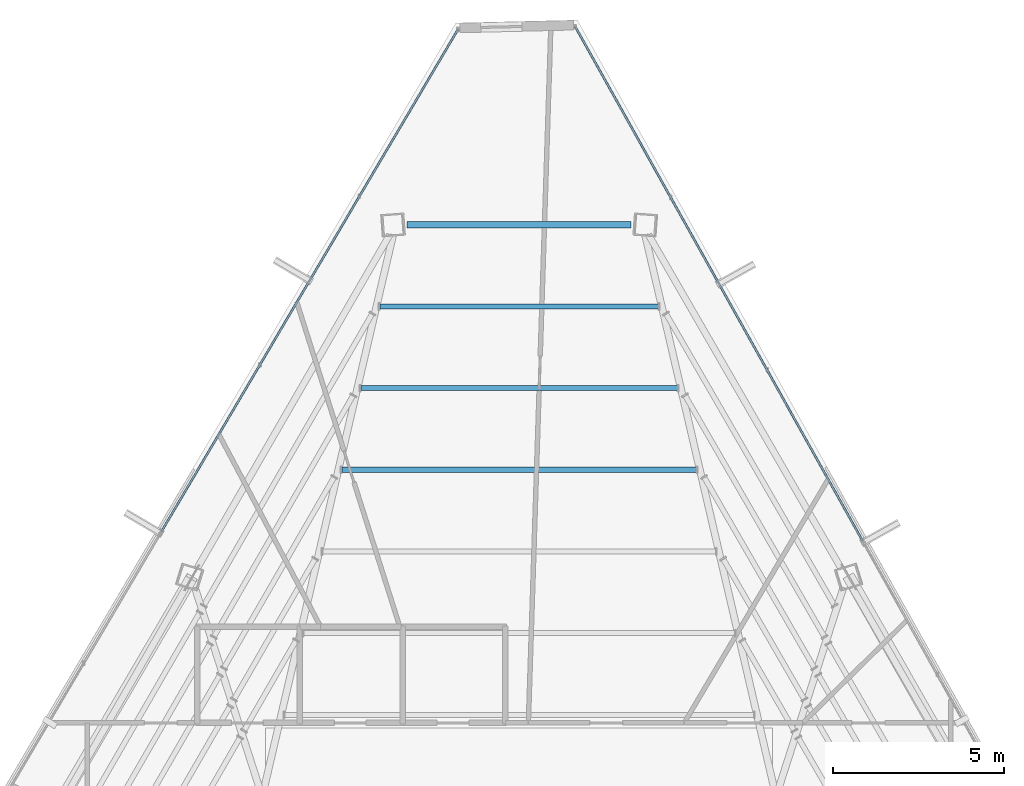
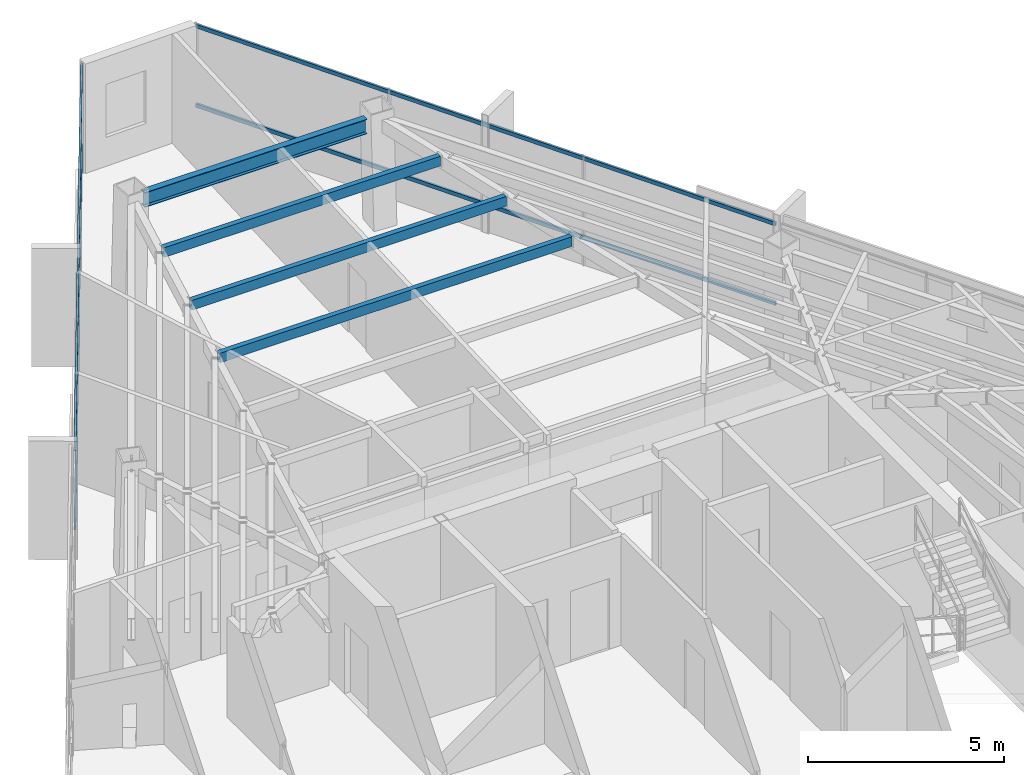
# One storey, part 32 of 45: 4 beams, 4 members, 2 elements without a shape of their own.
"""IFC4 building model written with IfcOpenShell, lengths in metres."""

from ifc_helpers import new_model, si_unit, direction, frame, origin, origin_2d, place, context, subcontext, project, spatial, hollow_rectangle, i_section, extrude, source, transform, mapped, material, material_profile, profile_set, type_object, type_shapes, element, aggregate, save


model = new_model("IFC4")

# Units and contexts
model_context = context("Model", 3, precision=1e-05, world=origin(), true_north=direction((0.0, 1.0)))
body_context = subcontext(model_context, "Body", "Model", "MODEL_VIEW")
ifc_project = project(units=[si_unit("LENGTHUNIT", "METRE"), si_unit("AREAUNIT", "SQUARE_METRE"), si_unit("VOLUMEUNIT", "CUBIC_METRE"), si_unit("PLANEANGLEUNIT", "RADIAN"), si_unit("MASSUNIT", "GRAM", prefix="KILO")], contexts=[model_context])

# Site, building, storey
site_placement = place(None, origin())
site = spatial("IfcSite", under=ifc_project, at=site_placement, CompositionType="ELEMENT")
building_placement = place(site_placement, origin())
building = spatial("IfcBuilding", under=site, at=building_placement, Name="Caelisora Broadcast Tower", CompositionType="ELEMENT")
storey_placement = place(building_placement, frame((0.0, 0.0, 262.699951171875)))
storey = spatial("IfcBuildingStorey", under=building, at=storey_placement, Name="L69", CompositionType="ELEMENT", Elevation=262.699951171875)

# Beams
ifc_material_1 = material(Name="Steel Grade 350 (AS/NZS 3679.1)", Category="steel")
ifc_material_profile_1 = material_profile(ifc_material_1, i_section(OverallWidth=0.19091796875, OverallDepth=0.46044921875, WebThickness=0.010009765625, FlangeThickness=0.01611328125, at=origin_2d()), Name="Steel Grade 350 (AS/NZS 3679.1)")
ifc_profile_set_1 = profile_set([ifc_material_profile_1], Name="Steel Grade 350 (AS/NZS 3679.1)")
beam_type_1 = type_object("IfcBeamType", Name="PG06", PredefinedType="BEAM", material=ifc_profile_set_1)
shared_shape_1 = source(origin(), body_context, "Body", "SweptSolid", [
    extrude(i_section(OverallWidth=0.19091796875, OverallDepth=0.46044921875, WebThickness=0.010009765625, FlangeThickness=0.01611328125, at=origin_2d()), origin(), (0.0, 0.0, 1.0), 6.54052734375),
])
type_shapes(beam_type_1, [shared_shape_1])
beam_1_placement = place(storey_placement, frame((41.270263671875, 46.692138671875, 3.169921875), z_axis=(-1.0, 0.0, 0.0), x_axis=(0.0, -1.0, 0.0)))
element("IfcBeam", 1, at=beam_1_placement, inside=storey, type_object=beam_type_1, Name="L69 beam PG06", PredefinedType="BEAM", context=body_context, shape_type="MappedRepresentation", body=[
    mapped(shared_shape_1, transform((0.0, 0.0, 0.0), scale=1.0)),
])
ifc_material_2 = material(Name="Steel Grade 350 (AS/NZS 1163 C350L0)", Category="steel")
ifc_material_profile_2 = material_profile(ifc_material_2, hollow_rectangle(XDim=0.14990234375, YDim=0.300048828125, WallThickness=0.010009765625, at=origin_2d()), Name="Steel Grade 350 (AS/NZS 1163 C350L0)")
ifc_profile_set_2 = profile_set([ifc_material_profile_2], Name="Steel Grade 350 (AS/NZS 1163 C350L0)")
beam_type_2 = type_object("IfcBeamType", Name="SB05", PredefinedType="JOIST", material=ifc_profile_set_2)
shared_shape_2 = source(origin(), body_context, "Body", "SweptSolid", [
    extrude(hollow_rectangle(XDim=0.14990234375, YDim=0.300048828125, WallThickness=0.010009765625, at=origin_2d()), origin(), (0.0, 0.0, 1.0), 10.35302734375),
])
beam_2_placement = place(storey_placement, frame((43.176513671875, 39.538330078125, 3.25), z_axis=(-1.0, 0.0, 0.0), x_axis=(0.0, -1.0, 0.0)))
element("IfcBeam", 2, at=beam_2_placement, inside=storey, type_object=beam_type_2, Name="L69 beam SB05", PredefinedType="JOIST", context=body_context, shape_type="MappedRepresentation", body=[
    mapped(shared_shape_2, transform((0.0, 0.0, 0.0), scale=1.0)),
])
shared_shape_3 = source(origin(), body_context, "Body", "SweptSolid", [
    extrude(hollow_rectangle(XDim=0.14990234375, YDim=0.300048828125, WallThickness=0.010009765625, at=origin_2d()), origin(), (0.0, 0.0, 1.0), 9.2412109375),
])
beam_3_placement = place(storey_placement, frame((42.62060546875, 41.923095703125, 3.25), z_axis=(-1.0, 0.0, 0.0), x_axis=(0.0, -1.0, 0.0)))
element("IfcBeam", 3, at=beam_3_placement, inside=storey, type_object=beam_type_2, Name="L69 beam SB05", PredefinedType="JOIST", context=body_context, shape_type="MappedRepresentation", body=[
    mapped(shared_shape_3, transform((0.0, 0.0, 0.0), scale=1.0)),
])
shared_shape_4 = source(origin(), body_context, "Body", "SweptSolid", [
    extrude(hollow_rectangle(XDim=0.14990234375, YDim=0.300048828125, WallThickness=0.010009765625, at=origin_2d()), origin(), (0.0, 0.0, 1.0), 8.12939453125),
])
type_shapes(beam_type_2, [shared_shape_2, shared_shape_3, shared_shape_4])
beam_4_placement = place(storey_placement, frame((42.064697265625, 44.3076171875, 3.25), z_axis=(-1.0, 0.0, 0.0), x_axis=(0.0, -1.0, 0.0)))
element("IfcBeam", 4, at=beam_4_placement, inside=storey, type_object=beam_type_2, Name="L69 beam SB05", PredefinedType="JOIST", context=body_context, shape_type="MappedRepresentation", body=[
    mapped(shared_shape_4, transform((0.0, 0.0, 0.0), scale=1.0)),
])

# Curtain wall, members
ifc_material_3 = material(Name="Unitised Aluminium and Low-E Glass Curtain Wall", Category="glass")
curtain_wall_type = type_object("IfcCurtainWallType", Name="CW-Z5", PredefinedType="NOTDEFINED", material=ifc_material_3)
curtain_wall_1_placement = place(storey_placement, origin())
curtain_wall_1 = element("IfcCurtainWall", 5, at=curtain_wall_1_placement, inside=storey, type_object=curtain_wall_type, Name="L69 curtain wall CW-Z5", PredefinedType="NOTDEFINED")
ifc_material_4 = material(Name="Aluminium 6063-T6 Anodised Terracotta Bronze", Category="aluminium")
ifc_material_profile_3 = material_profile(ifc_material_4, hollow_rectangle(XDim=0.06005859375, YDim=0.1201171875, WallThickness=0.0029296875, at=origin_2d()), Name="Aluminium 6063-T6 Anodised Terracotta Bronze")
ifc_profile_set_3 = profile_set([ifc_material_profile_3], Name="Aluminium 6063-T6 Anodised Terracotta Bronze")
member_type = type_object("IfcMemberType", Name="CWT-03", PredefinedType="USERDEFINED", material=ifc_profile_set_3)
shared_shape_5 = source(origin(), body_context, "Body", "SweptSolid", [
    extrude(hollow_rectangle(XDim=0.06005859375, YDim=0.1201171875, WallThickness=0.0029296875, at=origin_2d()), origin(), (0.0, 0.0, 1.0), 17.189697265625),
])
member_1_placement = place(storey_placement, frame((39.638427734375, 52.472412109375, 0.85009765625), z_axis=(0.487838547011, -0.872933876104, 0.0), x_axis=(0.872933876104, 0.487838547011, 0.0)))
member_1 = element("IfcMember", 6, at=member_1_placement, type_object=member_type, Name="L69-CW-B01 transom #1", ObjectType="TRANSOM", PredefinedType="USERDEFINED", context=body_context, shape_type="MappedRepresentation", body=[
    mapped(shared_shape_5, transform((0.0, 0.0, 0.0), scale=1.0)),
])
member_2_placement = place(storey_placement, frame((39.638427734375, 52.472412109375, 3.320068359375), z_axis=(0.487838547011, -0.872933876104, 0.0), x_axis=(0.872933876104, 0.487838547011, 0.0)))
member_2 = element("IfcMember", 7, at=member_2_placement, type_object=member_type, Name="L69-CW-B01 transom #2", ObjectType="TRANSOM", PredefinedType="USERDEFINED", context=body_context, shape_type="MappedRepresentation", body=[
    mapped(shared_shape_5, transform((0.0, 0.0, 0.0), scale=1.0)),
])
aggregate(curtain_wall_1, [member_1, member_2])

curtain_wall_2_placement = place(storey_placement, origin())
curtain_wall_2 = element("IfcCurtainWall", 8, at=curtain_wall_2_placement, inside=storey, type_object=curtain_wall_type, Name="L69 curtain wall CW-Z5", PredefinedType="NOTDEFINED")
shared_shape_6 = source(origin(), body_context, "Body", "SweptSolid", [
    extrude(hollow_rectangle(XDim=0.06005859375, YDim=0.1201171875, WallThickness=0.0029296875, at=origin_2d()), origin(), (0.0, 0.0, 1.0), 17.019775390625),
])
type_shapes(member_type, [shared_shape_5, shared_shape_6])
member_3_placement = place(storey_placement, frame((27.559814453125, 37.73681640625, 0.85009765625), z_axis=(0.508511339014, 0.861055293285, 0.0), x_axis=(-0.861055293285, 0.508511339014, 0.0)))
member_3 = element("IfcMember", 9, at=member_3_placement, type_object=member_type, Name="L69-CW-B11 transom #1", ObjectType="TRANSOM", PredefinedType="USERDEFINED", context=body_context, shape_type="MappedRepresentation", body=[
    mapped(shared_shape_6, transform((0.0, 0.0, 0.0), scale=1.0)),
])
member_4_placement = place(storey_placement, frame((27.559814453125, 37.73681640625, 3.320068359375), z_axis=(0.508511339014, 0.861055293285, 0.0), x_axis=(-0.861055293285, 0.508511339014, 0.0)))
member_4 = element("IfcMember", 10, at=member_4_placement, type_object=member_type, Name="L69-CW-B11 transom #2", ObjectType="TRANSOM", PredefinedType="USERDEFINED", context=body_context, shape_type="MappedRepresentation", body=[
    mapped(shared_shape_6, transform((0.0, 0.0, 0.0), scale=1.0)),
])
aggregate(curtain_wall_2, [member_3, member_4])

save(model, "model.ifc")
